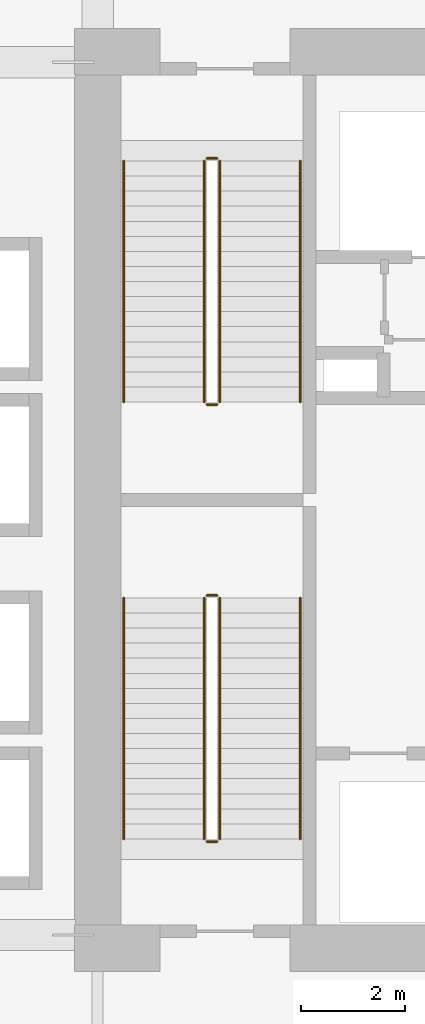
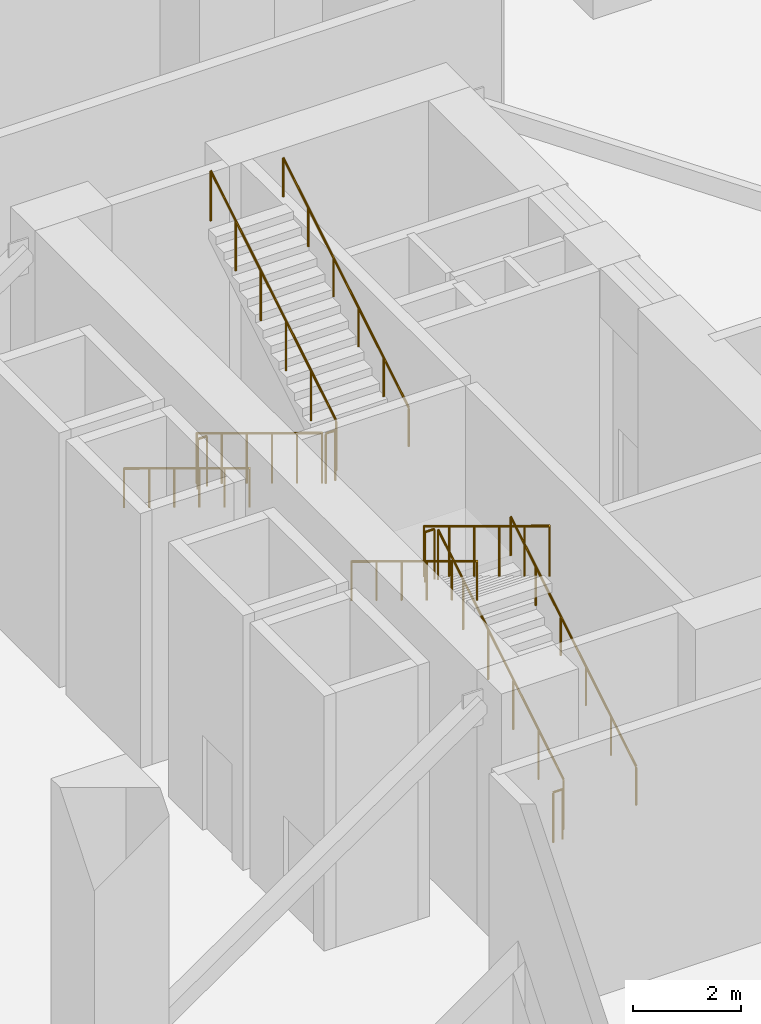
# One storey, part 20 of 20: 12 railings.
"""IFC4 building model written with IfcOpenShell, lengths in metres."""

from ifc_helpers import new_model, si_unit, direction, frame, origin, origin_2d, place, context, subcontext, project, spatial, circle, extrude, material, type_object, element, save


model = new_model("IFC4")

# Units and contexts
model_context = context("Model", 3, precision=1e-05, world=origin(), true_north=direction((0.0, 1.0)))
body_context = subcontext(model_context, "Body", "Model", "MODEL_VIEW")
ifc_project = project(units=[si_unit("LENGTHUNIT", "METRE"), si_unit("AREAUNIT", "SQUARE_METRE"), si_unit("VOLUMEUNIT", "CUBIC_METRE"), si_unit("PLANEANGLEUNIT", "RADIAN"), si_unit("MASSUNIT", "GRAM", prefix="KILO")], contexts=[model_context])

# Site, building, storey
site_placement = place(None, origin())
site = spatial("IfcSite", under=ifc_project, at=site_placement, CompositionType="ELEMENT")
building_placement = place(site_placement, origin())
building = spatial("IfcBuilding", under=site, at=building_placement, Name="Koriwani Terraces Tower", CompositionType="ELEMENT")
storey_placement = place(building_placement, frame((0.0, 0.0, 26.0)))
storey = spatial("IfcBuildingStorey", under=building, at=storey_placement, Name="L05", CompositionType="ELEMENT", Elevation=26.0)

# Railings
ifc_material = material(Name="Steel ASTM A572 Grade 50", Category="steel")
railing_type_1 = type_object("IfcRailingType", Name="GUARD_STAIR_WELL_1120", PredefinedType="GUARDRAIL", material=ifc_material)
railing_1_placement = place(storey_placement, frame((19.14990234375, 43.85009765625, 0.176513671875)))
element("IfcRailing", 1, at=railing_1_placement, inside=storey, type_object=railing_type_1, Name="L05 ST-W1 stair guard 1", PredefinedType="GUARDRAIL", context=body_context, shape_type="SweptSolid", body=[
    extrude(circle(Radius=0.02392578125, at=origin_2d()), frame((0.0, 0.0, 1.1259765625), z_axis=(0.0, 0.854263648073, 0.51983999421), x_axis=(-1.0, 0.0, 0.0)), (0.0, 0.0, 1.0), 5.431396484375),
    extrude(circle(Radius=0.02099609375, at=origin_2d()), origin(), (0.0, 0.0, 1.0), 1.101806640625),
    extrude(circle(Radius=0.02099609375, at=origin_2d()), frame((0.0, 0.927978515625, 0.564697265625)), (0.0, 0.0, 1.0), 1.101806640625),
    extrude(circle(Radius=0.02099609375, at=origin_2d()), frame((0.0, 1.85595703125, 1.12939453125)), (0.0, 0.0, 1.0), 1.101806640625),
    extrude(circle(Radius=0.02099609375, at=origin_2d()), frame((0.0, 2.783935546875, 1.694091796875)), (0.0, 0.0, 1.0), 1.101806640625),
    extrude(circle(Radius=0.02099609375, at=origin_2d()), frame((0.0, 3.7119140625, 2.2587890625)), (0.0, 0.0, 1.0), 1.101806640625),
    extrude(circle(Radius=0.02099609375, at=origin_2d()), frame((0.0, 4.639892578125, 2.823486328125)), (0.0, 0.0, 1.0), 1.101806640625),
])
railing_2_placement = place(storey_placement, frame((19.10009765625, 48.5400390625, 3.0)))
element("IfcRailing", 2, at=railing_2_placement, inside=storey, type_object=railing_type_1, Name="L05 ST-W1 stair guard 2", PredefinedType="GUARDRAIL", context=body_context, shape_type="SweptSolid", body=[
    extrude(circle(Radius=0.02392578125, at=origin_2d()), frame((0.0, 0.0, 1.1259765625), z_axis=(-1.0, 0.0, 0.0), x_axis=(0.0, -1.0, 0.0)), (0.0, 0.0, 1.0), 0.2001953125),
    extrude(circle(Radius=0.02099609375, at=origin_2d()), origin(), (0.0, 0.0, 1.0), 1.101806640625),
    extrude(circle(Radius=0.02099609375, at=origin_2d()), frame((-0.2001953125, 0.0, 0.0)), (0.0, 0.0, 1.0), 1.101806640625),
])
railing_3_placement = place(storey_placement, frame((18.85009765625, 48.489990234375, 3.176513671875)))
element("IfcRailing", 3, at=railing_3_placement, inside=storey, type_object=railing_type_1, Name="L05 ST-W1 stair guard 3", PredefinedType="GUARDRAIL", context=body_context, shape_type="SweptSolid", body=[
    extrude(circle(Radius=0.02392578125, at=origin_2d()), frame((0.0, 0.0, 1.1259765625), z_axis=(0.0, -0.854263648073, 0.51983999421), x_axis=(1.0, 0.0, 0.0)), (0.0, 0.0, 1.0), 5.431396484375),
    extrude(circle(Radius=0.02099609375, at=origin_2d()), origin(), (0.0, 0.0, 1.0), 1.101806640625),
    extrude(circle(Radius=0.02099609375, at=origin_2d()), frame((0.0, -0.927978515625, 0.564697265625)), (0.0, 0.0, 1.0), 1.101806640625),
    extrude(circle(Radius=0.02099609375, at=origin_2d()), frame((0.0, -1.85595703125, 1.12939453125)), (0.0, 0.0, 1.0), 1.101806640625),
    extrude(circle(Radius=0.02099609375, at=origin_2d()), frame((0.0, -2.783935546875, 1.694091796875)), (0.0, 0.0, 1.0), 1.101806640625),
    extrude(circle(Radius=0.02099609375, at=origin_2d()), frame((0.0, -3.7119140625, 2.2587890625)), (0.0, 0.0, 1.0), 1.101806640625),
    extrude(circle(Radius=0.02099609375, at=origin_2d()), frame((0.0, -4.639892578125, 2.823486328125)), (0.0, 0.0, 1.0), 1.101806640625),
])
railing_4_placement = place(storey_placement, frame((19.10009765625, 43.800048828125, 0.0)))
element("IfcRailing", 4, at=railing_4_placement, inside=storey, type_object=railing_type_1, Name="L05 ST-W1 stair guard 4", PredefinedType="GUARDRAIL", context=body_context, shape_type="SweptSolid", body=[
    extrude(circle(Radius=0.02392578125, at=origin_2d()), frame((0.0, 0.0, 1.1259765625), z_axis=(-1.0, 0.0, 0.0), x_axis=(0.0, -1.0, 0.0)), (0.0, 0.0, 1.0), 0.2001953125),
    extrude(circle(Radius=0.02099609375, at=origin_2d()), origin(), (0.0, 0.0, 1.0), 1.101806640625),
    extrude(circle(Radius=0.02099609375, at=origin_2d()), frame((-0.2001953125, 0.0, 0.0)), (0.0, 0.0, 1.0), 1.101806640625),
])
railing_5_placement = place(storey_placement, frame((18.85009765625, 56.89990234375, 0.176513671875)))
element("IfcRailing", 5, at=railing_5_placement, inside=storey, type_object=railing_type_1, Name="L05 ST-W2 stair guard 1", PredefinedType="GUARDRAIL", context=body_context, shape_type="SweptSolid", body=[
    extrude(circle(Radius=0.02392578125, at=origin_2d()), frame((0.0, 0.0, 1.1259765625), z_axis=(0.0, -0.854263648073, 0.51983999421), x_axis=(1.0, 0.0, 0.0)), (0.0, 0.0, 1.0), 5.431396484375),
    extrude(circle(Radius=0.02099609375, at=origin_2d()), origin(), (0.0, 0.0, 1.0), 1.101806640625),
    extrude(circle(Radius=0.02099609375, at=origin_2d()), frame((0.0, -0.927978515625, 0.564697265625)), (0.0, 0.0, 1.0), 1.101806640625),
    extrude(circle(Radius=0.02099609375, at=origin_2d()), frame((0.0, -1.85595703125, 1.12939453125)), (0.0, 0.0, 1.0), 1.101806640625),
    extrude(circle(Radius=0.02099609375, at=origin_2d()), frame((0.0, -2.783935546875, 1.694091796875)), (0.0, 0.0, 1.0), 1.101806640625),
    extrude(circle(Radius=0.02099609375, at=origin_2d()), frame((0.0, -3.7119140625, 2.2587890625)), (0.0, 0.0, 1.0), 1.101806640625),
    extrude(circle(Radius=0.02099609375, at=origin_2d()), frame((0.0, -4.639892578125, 2.823486328125)), (0.0, 0.0, 1.0), 1.101806640625),
])
railing_6_placement = place(storey_placement, frame((18.89990234375, 52.2099609375, 3.0)))
element("IfcRailing", 6, at=railing_6_placement, inside=storey, type_object=railing_type_1, Name="L05 ST-W2 stair guard 2", PredefinedType="GUARDRAIL", context=body_context, shape_type="SweptSolid", body=[
    extrude(circle(Radius=0.02392578125, at=origin_2d()), frame((0.0, 0.0, 1.1259765625), z_axis=(1.0, 0.0, 0.0), x_axis=(0.0, 1.0, 0.0)), (0.0, 0.0, 1.0), 0.2001953125),
    extrude(circle(Radius=0.02099609375, at=origin_2d()), origin(), (0.0, 0.0, 1.0), 1.101806640625),
    extrude(circle(Radius=0.02099609375, at=origin_2d()), frame((0.2001953125, 0.0, 0.0)), (0.0, 0.0, 1.0), 1.101806640625),
])
railing_7_placement = place(storey_placement, frame((19.14990234375, 52.260009765625, 3.176513671875)))
element("IfcRailing", 7, at=railing_7_placement, inside=storey, type_object=railing_type_1, Name="L05 ST-W2 stair guard 3", PredefinedType="GUARDRAIL", context=body_context, shape_type="SweptSolid", body=[
    extrude(circle(Radius=0.02392578125, at=origin_2d()), frame((0.0, 0.0, 1.1259765625), z_axis=(0.0, 0.854263648073, 0.51983999421), x_axis=(-1.0, 0.0, 0.0)), (0.0, 0.0, 1.0), 5.431396484375),
    extrude(circle(Radius=0.02099609375, at=origin_2d()), origin(), (0.0, 0.0, 1.0), 1.101806640625),
    extrude(circle(Radius=0.02099609375, at=origin_2d()), frame((0.0, 0.927978515625, 0.564697265625)), (0.0, 0.0, 1.0), 1.101806640625),
    extrude(circle(Radius=0.02099609375, at=origin_2d()), frame((0.0, 1.85595703125, 1.12939453125)), (0.0, 0.0, 1.0), 1.101806640625),
    extrude(circle(Radius=0.02099609375, at=origin_2d()), frame((0.0, 2.783935546875, 1.694091796875)), (0.0, 0.0, 1.0), 1.101806640625),
    extrude(circle(Radius=0.02099609375, at=origin_2d()), frame((0.0, 3.7119140625, 2.2587890625)), (0.0, 0.0, 1.0), 1.101806640625),
    extrude(circle(Radius=0.02099609375, at=origin_2d()), frame((0.0, 4.639892578125, 2.823486328125)), (0.0, 0.0, 1.0), 1.101806640625),
])
railing_8_placement = place(storey_placement, frame((18.89990234375, 56.949951171875, 0.0)))
element("IfcRailing", 8, at=railing_8_placement, inside=storey, type_object=railing_type_1, Name="L05 ST-W2 stair guard 4", PredefinedType="GUARDRAIL", context=body_context, shape_type="SweptSolid", body=[
    extrude(circle(Radius=0.02392578125, at=origin_2d()), frame((0.0, 0.0, 1.1259765625), z_axis=(1.0, 0.0, 0.0), x_axis=(0.0, 1.0, 0.0)), (0.0, 0.0, 1.0), 0.2001953125),
    extrude(circle(Radius=0.02099609375, at=origin_2d()), origin(), (0.0, 0.0, 1.0), 1.101806640625),
    extrude(circle(Radius=0.02099609375, at=origin_2d()), frame((0.2001953125, 0.0, 0.0)), (0.0, 0.0, 1.0), 1.101806640625),
])
railing_type_2 = type_object("IfcRailingType", Name="HANDRAIL_STAIR_920", PredefinedType="HANDRAIL", material=ifc_material)
railing_9_placement = place(storey_placement, frame((20.699951171875, 43.85009765625, 0.176513671875)))
element("IfcRailing", 9, at=railing_9_placement, inside=storey, type_object=railing_type_2, Name="L05 ST-W1 stair handrail 1", PredefinedType="HANDRAIL", context=body_context, shape_type="SweptSolid", body=[
    extrude(circle(Radius=0.02392578125, at=origin_2d()), frame((0.0, 0.0, 0.8759765625), z_axis=(0.0, 0.854263648073, 0.51983999421), x_axis=(-1.0, 0.0, 0.0)), (0.0, 0.0, 1.0), 5.431396484375),
    extrude(circle(Radius=0.02099609375, at=origin_2d()), origin(), (0.0, 0.0, 1.0), 0.851806640625),
    extrude(circle(Radius=0.02099609375, at=origin_2d()), frame((0.0, 0.927978515625, 0.564697265625)), (0.0, 0.0, 1.0), 0.851806640625),
    extrude(circle(Radius=0.02099609375, at=origin_2d()), frame((0.0, 1.85595703125, 1.12939453125)), (0.0, 0.0, 1.0), 0.851806640625),
    extrude(circle(Radius=0.02099609375, at=origin_2d()), frame((0.0, 2.783935546875, 1.694091796875)), (0.0, 0.0, 1.0), 0.851806640625),
    extrude(circle(Radius=0.02099609375, at=origin_2d()), frame((0.0, 3.7119140625, 2.2587890625)), (0.0, 0.0, 1.0), 0.851806640625),
    extrude(circle(Radius=0.02099609375, at=origin_2d()), frame((0.0, 4.639892578125, 2.823486328125)), (0.0, 0.0, 1.0), 0.851806640625),
])
for number, where, name in (
    (10, (17.300048828125, 48.489990234375, 3.176513671875), "L05 ST-W1 stair handrail 2"),
    (11, (17.300048828125, 56.89990234375, 0.176513671875), "L05 ST-W2 stair handrail 1"),
):
    element("IfcRailing", number, at=place(storey_placement, frame(where)), inside=storey, type_object=railing_type_2, Name=name, PredefinedType="HANDRAIL", context=body_context, shape_type="SweptSolid", body=[
        extrude(circle(Radius=0.02392578125, at=origin_2d()), frame((0.0, 0.0, 0.8759765625), z_axis=(0.0, -0.854263648073, 0.51983999421), x_axis=(1.0, 0.0, 0.0)), (0.0, 0.0, 1.0), 5.431396484375),
        extrude(circle(Radius=0.02099609375, at=origin_2d()), origin(), (0.0, 0.0, 1.0), 0.851806640625),
        extrude(circle(Radius=0.02099609375, at=origin_2d()), frame((0.0, -0.927978515625, 0.564697265625)), (0.0, 0.0, 1.0), 0.851806640625),
        extrude(circle(Radius=0.02099609375, at=origin_2d()), frame((0.0, -1.85595703125, 1.12939453125)), (0.0, 0.0, 1.0), 0.851806640625),
        extrude(circle(Radius=0.02099609375, at=origin_2d()), frame((0.0, -2.783935546875, 1.694091796875)), (0.0, 0.0, 1.0), 0.851806640625),
        extrude(circle(Radius=0.02099609375, at=origin_2d()), frame((0.0, -3.7119140625, 2.2587890625)), (0.0, 0.0, 1.0), 0.851806640625),
        extrude(circle(Radius=0.02099609375, at=origin_2d()), frame((0.0, -4.639892578125, 2.823486328125)), (0.0, 0.0, 1.0), 0.851806640625),
    ])
railing_10_placement = place(storey_placement, frame((20.699951171875, 52.260009765625, 3.176513671875)))
element("IfcRailing", 12, at=railing_10_placement, inside=storey, type_object=railing_type_2, Name="L05 ST-W2 stair handrail 2", PredefinedType="HANDRAIL", context=body_context, shape_type="SweptSolid", body=[
    extrude(circle(Radius=0.02392578125, at=origin_2d()), frame((0.0, 0.0, 0.8759765625), z_axis=(0.0, 0.854263648073, 0.51983999421), x_axis=(-1.0, 0.0, 0.0)), (0.0, 0.0, 1.0), 5.431396484375),
    extrude(circle(Radius=0.02099609375, at=origin_2d()), origin(), (0.0, 0.0, 1.0), 0.851806640625),
    extrude(circle(Radius=0.02099609375, at=origin_2d()), frame((0.0, 0.927978515625, 0.564697265625)), (0.0, 0.0, 1.0), 0.851806640625),
    extrude(circle(Radius=0.02099609375, at=origin_2d()), frame((0.0, 1.85595703125, 1.12939453125)), (0.0, 0.0, 1.0), 0.851806640625),
    extrude(circle(Radius=0.02099609375, at=origin_2d()), frame((0.0, 2.783935546875, 1.694091796875)), (0.0, 0.0, 1.0), 0.851806640625),
    extrude(circle(Radius=0.02099609375, at=origin_2d()), frame((0.0, 3.7119140625, 2.2587890625)), (0.0, 0.0, 1.0), 0.851806640625),
    extrude(circle(Radius=0.02099609375, at=origin_2d()), frame((0.0, 4.639892578125, 2.823486328125)), (0.0, 0.0, 1.0), 0.851806640625),
])

save(model, "model.ifc")
